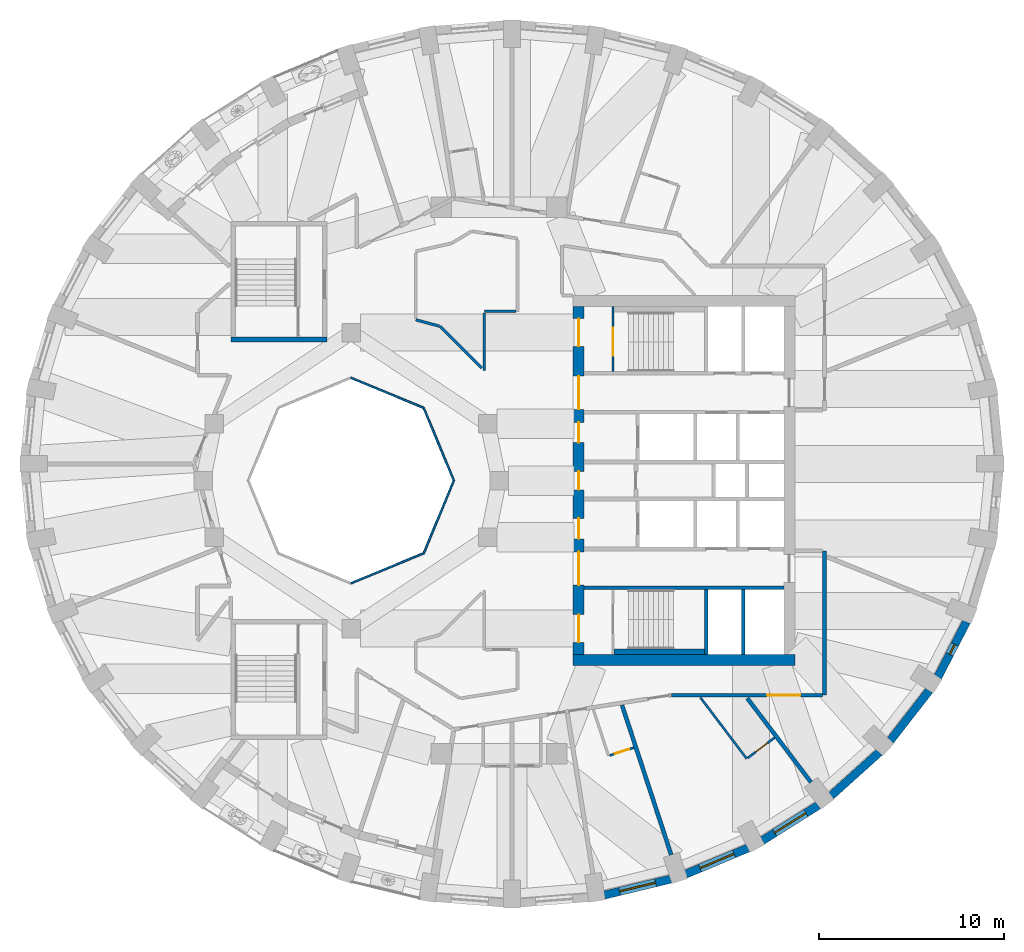
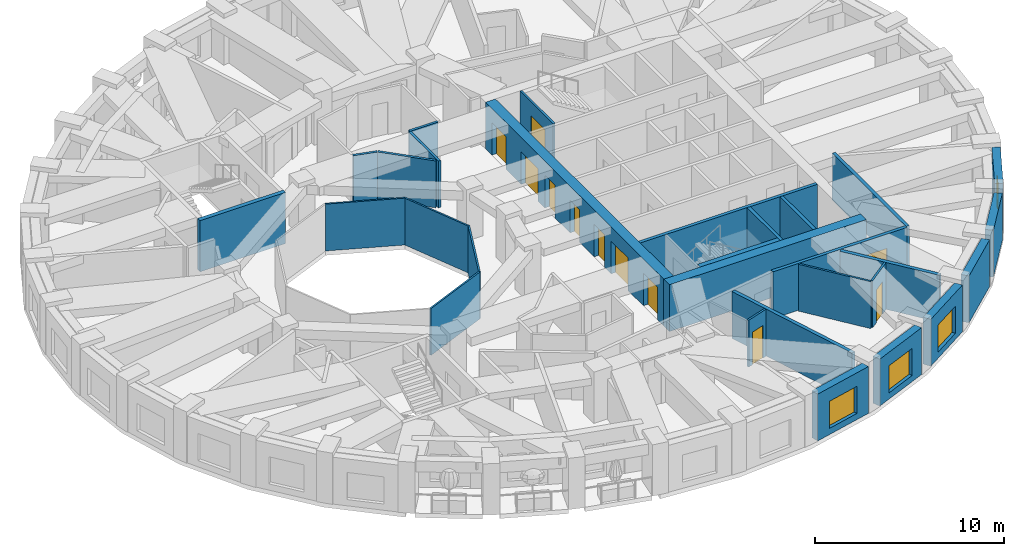
# One storey, part 5 of 12: 29 walls, 11 doors, 4 windows, 15 openings.
"""IFC4 building model written with IfcOpenShell, lengths in metres."""

import ifcopenshell
import ifcopenshell.guid

model = None  # the IFC model being written
_history = None  # IfcOwnerHistory: only IFC2X3 demands one
_inside = {}  # id of a spatial element -> (the spatial element, [elements in it])
_under = {}  # id of a project, library or spatial element -> (it, [spatial elements below it])
_declared = {}  # id of a project -> (the project, [libraries it declares])
_typed = {}  # id of a type object -> (the type object, [elements of that type])
_made_of = {}  # id of a material, layer set ... -> (it, [elements and type objects made of it])


def new_model(schema):
    """Start an empty IFC model of exactly this schema.

    Asked for "IFC4X3", IfcOpenShell would pick the latest addendum, in which some entities
    have other attributes; the version numbers below select the first issue.
    IFC2X3 requires an IfcOwnerHistory on every rooted entity: one is made here for all.
    """
    global model, _history
    if schema == "IFC4X3":
        model = ifcopenshell.file(schema_version=(4, 3, 0, 0))
    else:
        model = ifcopenshell.file(schema=schema)
    _inside.clear()
    _under.clear()
    _declared.clear()
    _typed.clear()
    _made_of.clear()
    _history = None
    if model.schema == "IFC2X3":
        org = make("IfcOrganization", Name="unknown")
        user = make(
            "IfcPersonAndOrganization",
            ThePerson=make("IfcPerson", FamilyName="unknown"),
            TheOrganization=org,
        )
        app = make(
            "IfcApplication",
            ApplicationDeveloper=org,
            Version="unknown",
            ApplicationFullName="unknown",
            ApplicationIdentifier="unknown",
        )
        _history = make(
            "IfcOwnerHistory",
            OwningUser=user,
            OwningApplication=app,
            ChangeAction="ADDED",
            CreationDate=0,
        )
    return model


def make(cls, **values):
    """One entity of the class cls with the attributes given. An attribute that is None is left unset."""
    return model.create_entity(
        cls, **{name: value for name, value in values.items() if value is not None}
    )


def rooted(cls, **values):
    """An entity with a GlobalId (a new one), such as an element, a storey or a relation."""
    return make(cls, GlobalId=ifcopenshell.guid.new(), OwnerHistory=_history, **values)


def si_unit(unit_type, name, prefix=None):
    """IfcSIUnit, for example si_unit("LENGTHUNIT", "METRE", prefix="MILLI")."""
    return make("IfcSIUnit", UnitType=unit_type, Prefix=prefix, Name=name)


def assignment(units):
    """IfcUnitAssignment: the units of a project."""
    return None if units is None else make("IfcUnitAssignment", Units=units)


def point(xyz):
    """IfcCartesianPoint."""
    return None if xyz is None else make("IfcCartesianPoint", Coordinates=xyz)


def direction(xyz):
    """IfcDirection."""
    return None if xyz is None else make("IfcDirection", DirectionRatios=xyz)


def frame(location, z_axis=None, x_axis=None):
    """IfcAxis2Placement3D, a coordinate frame: its origin and axes. An axis left out is left unset."""
    return make(
        "IfcAxis2Placement3D",
        Location=point(location),
        Axis=direction(z_axis),
        RefDirection=direction(x_axis),
    )


def frame_2d(location, x_axis=None):
    """IfcAxis2Placement2D, a coordinate frame in the plane: its origin and x axis."""
    return make(
        "IfcAxis2Placement2D", Location=point(location), RefDirection=direction(x_axis)
    )


def origin():
    """The frame at (0, 0, 0) with its axes left unset."""
    return frame((0.0, 0.0, 0.0))


def place(relative_to, where):
    """IfcLocalPlacement: puts the frame where relative to a parent placement (None: the world)."""
    return make(
        "IfcLocalPlacement", PlacementRelTo=relative_to, RelativePlacement=where
    )


def context(
    kind, dimensions, precision=None, world=None, true_north=None, identifier=None
):
    """IfcGeometricRepresentationContext, for example the 3D "Model" context."""
    return make(
        "IfcGeometricRepresentationContext",
        ContextIdentifier=identifier,
        ContextType=kind,
        CoordinateSpaceDimension=dimensions,
        Precision=precision,
        WorldCoordinateSystem=world,
        TrueNorth=true_north,
    )


def subcontext(parent, identifier, kind, view, scale=None):
    """IfcGeometricRepresentationSubContext, for example "Body" below "Model"."""
    return make(
        "IfcGeometricRepresentationSubContext",
        ContextIdentifier=identifier,
        ContextType=kind,
        ParentContext=parent,
        TargetScale=scale,
        TargetView=view,
    )


def project(units=None, contexts=None):
    """IfcProject with its units and contexts."""
    return rooted(
        "IfcProject",
        Name="project",
        RepresentationContexts=contexts,
        UnitsInContext=assignment(units),
    )


def spatial(cls, under=None, at=None, **own):
    """A site, building, storey or space (cls), placed at a placement, below another one or the project."""
    s = rooted(cls, ObjectPlacement=at, **own)
    if under is not None:
        _under.setdefault(under.id(), (under, []))[1].append(s)
    return s


def profile(cls, at=None, kind="AREA", **sizes):
    """A parametric profile (cls). Its sizes go by their IFC names, for example OverallWidth=200.0."""
    return make(cls, ProfileType=kind, Position=at, **sizes)


def rectangle(**sizes):
    """IfcRectangleProfileDef."""
    return profile("IfcRectangleProfileDef", **sizes)


def extrude(swept, where, along, depth):
    """IfcExtrudedAreaSolid: the profile swept, set in the frame where, extruded along a direction by depth."""
    return make(
        "IfcExtrudedAreaSolid",
        SweptArea=swept,
        Position=where,
        ExtrudedDirection=direction(along),
        Depth=depth,
    )


def shape(context_of_items, identifier, shape_type, items):
    """IfcShapeRepresentation: the items that make up one representation, for example the "Body"."""
    return make(
        "IfcShapeRepresentation",
        ContextOfItems=context_of_items,
        RepresentationIdentifier=identifier,
        RepresentationType=shape_type,
        Items=items,
    )


def material(Name=None, Category=None):
    """IfcMaterial."""
    return make("IfcMaterial", Name=Name, Category=Category)


def layer(
    of_material, thickness, ventilated=None, Name=None, Category=None, Priority=None
):
    """IfcMaterialLayer: one layer of a wall or slab, of a material (None: an air gap)."""
    return make(
        "IfcMaterialLayer",
        Material=of_material,
        LayerThickness=thickness,
        IsVentilated=ventilated,
        Name=Name,
        Category=Category,
        Priority=Priority,
    )


def layer_set(layers, Name=None):
    """IfcMaterialLayerSet."""
    return make("IfcMaterialLayerSet", MaterialLayers=layers, LayerSetName=Name)


def made_of(thing, what):
    """Note that an element or type object is made of a material, layer set ...; save() writes the relation."""
    if what is not None:
        _made_of.setdefault(what.id(), (what, []))[1].append(thing)
    return thing


def type_object(cls, material=None, **own):
    """A type object (cls), such as IfcWallType, which elements share."""
    return made_of(rooted(cls, **own), material)


def element(
    cls,
    number,
    at=None,
    inside=None,
    cuts=None,
    type_object=None,
    material=None,
    context=None,
    identifier="Body",
    shape_type=None,
    held_by="IfcProductDefinitionShape",
    body=None,
    shapes=None,
    **own,
):
    """One element of the class cls, such as IfcWall. Its Tag is "e" and its number.

    at: its placement. inside: the storey or other place that contains it. cuts: it is an
    opening in that element (IfcRelVoidsElement). A single representation is given by context,
    identifier, shape_type and body (its items); several are given by shapes. held_by: the class
    of the entity that holds the representations. save() writes the other relations.
    """
    e = rooted(cls, Tag="e%d" % number, ObjectPlacement=at, **own)
    if body is not None:
        shapes = [shape(context, identifier, shape_type, body)]
    if shapes is not None:
        e.Representation = make(held_by, Representations=shapes)
    if inside is not None:
        _inside.setdefault(inside.id(), (inside, []))[1].append(e)
    if cuts is not None:
        rooted(
            "IfcRelVoidsElement", RelatingBuildingElement=cuts, RelatedOpeningElement=e
        )
    if type_object is not None:
        _typed.setdefault(type_object.id(), (type_object, []))[1].append(e)
    return made_of(e, material)


def fill(opening, filler):
    """IfcRelFillsElement: the door or window that sits in an opening."""
    return rooted(
        "IfcRelFillsElement",
        RelatingOpeningElement=opening,
        RelatedBuildingElement=filler,
    )


def aggregate(whole, parts):
    """IfcRelAggregates: a whole, such as a stair, and the parts it consists of."""
    return rooted("IfcRelAggregates", RelatingObject=whole, RelatedObjects=parts)


def save(model, path):
    """Write the relations noted so far, then the file.

    IfcRelAggregates (storeys below a building ...), IfcRelContainedInSpatialStructure (elements
    in a storey), IfcRelDefinesByType, IfcRelAssociatesMaterial and IfcRelDeclares: one each for
    every whole, place, type object, material and project.
    """
    for whole, parts in _under.values():
        aggregate(whole, parts)
    for where, things in _inside.values():
        rooted(
            "IfcRelContainedInSpatialStructure",
            RelatedElements=things,
            RelatingStructure=where,
        )
    for kind, things in _typed.values():
        rooted("IfcRelDefinesByType", RelatedObjects=things, RelatingType=kind)
    for what, things in _made_of.values():
        rooted("IfcRelAssociatesMaterial", RelatedObjects=things, RelatingMaterial=what)
    for by, libraries in _declared.values():
        rooted("IfcRelDeclares", RelatingContext=by, RelatedDefinitions=libraries)
    model.write(path)


model = new_model("IFC4")

# Units and contexts
model_context = context("Model", 3, precision=1e-05, world=origin(), true_north=direction((0.0, 1.0)))
body_context = subcontext(model_context, "Body", "Model", "MODEL_VIEW")
ifc_project = project(units=[si_unit("LENGTHUNIT", "METRE"), si_unit("AREAUNIT", "SQUARE_METRE"), si_unit("VOLUMEUNIT", "CUBIC_METRE"), si_unit("PLANEANGLEUNIT", "RADIAN"), si_unit("MASSUNIT", "GRAM", prefix="KILO")], contexts=[model_context])

# Site, building, storey
site_placement = place(None, origin())
site = spatial("IfcSite", under=ifc_project, at=site_placement, CompositionType="ELEMENT")
building_placement = place(site_placement, origin())
building = spatial("IfcBuilding", under=site, at=building_placement, Name="Taillehof Tower", CompositionType="ELEMENT")
storey_placement = place(building_placement, frame((0.0, 0.0, 209.0)))
storey = spatial("IfcBuildingStorey", under=building, at=storey_placement, Name="L59", CompositionType="ELEMENT", Elevation=209.0)

# Walls
ifc_material_1 = material(Name="Fire-resisting glass in steel frame", Category="steel")
ifc_layer_1 = layer(ifc_material_1, 0.10009765625)
ifc_layer_set_1 = layer_set([ifc_layer_1], Name="Atrium fire-resisting screen EI 60 100")
wall_type_1 = type_object("IfcWallType", Name="Atrium fire-resisting screen EI 60 100", PredefinedType="PARTITIONING", material=ifc_layer_set_1)
for number, where, z_axis, x_axis, name in (
    (1, (-2.44580078125, 0.0, 0.0), (0.0, 0.0, 1.0), (-0.382730523909, -0.923860025149, 0.0), "Atrium screen"),
    (2, (-4.07275390625, -3.92724609375, 0.0), (0.0, 0.0, 1.0), (-0.923860025149, -0.382730523909, 0.0), "Atrium screen"),
    (3, (-8.0, 5.55419921875, 0.0), (0.0, 0.0, 1.0), (0.923860025149, -0.382730523909, 0.0), "Atrium screen"),
    (4, (-4.07275390625, 3.92724609375, 0.0), (0.0, 0.0, 1.0), (0.382730523909, -0.923860025149, 0.0), "Atrium screen"),
):
    element("IfcWall", number, at=place(storey_placement, frame(where, z_axis=z_axis, x_axis=x_axis)), inside=storey, type_object=wall_type_1, Name=name, PredefinedType="PARTITIONING", context=body_context, shape_type="SweptSolid", body=[
        extrude(rectangle(XDim=4.2509765625, YDim=0.10009765625, at=frame_2d((2.12548828125, 0.0))), origin(), (0.0, 0.0, 1.0), 3.02001953125),
    ])

# Wall, opening, window
ifc_material_2 = material(Name="Brick masonry", Category="masonry")
ifc_layer_2 = layer(ifc_material_2, 0.449951171875)
ifc_layer_set_2 = layer_set([ifc_layer_2], Name="Brick infill wall 450")
wall_type_2 = type_object("IfcWallType", Name="Brick infill wall 450", PredefinedType="SOLIDWALL", material=ifc_layer_set_2)
wall_1_placement = place(storey_placement, frame((5.690673828125, -22.41357421875, 0.0), z_axis=(0.0, 0.0, 1.0), x_axis=(0.9721584944, 0.234324266275, 0.0)))
wall_1 = element("IfcWall", 5, at=wall_1_placement, inside=storey, type_object=wall_type_2, Name="Brick wall L59 bay 29", PredefinedType="SOLIDWALL", context=body_context, shape_type="SweptSolid", body=[
    extrude(rectangle(XDim=3.69775390625, YDim=0.449951171875, at=frame_2d((1.848876953125, 0.0))), origin(), (0.0, 0.0, 1.0), 3.02001953125),
])
opening_1_placement = place(wall_1_placement, frame((0.848876953125, 0.0, 0.39990234375)))
opening_1 = element("IfcOpeningElement", 6, at=opening_1_placement, cuts=wall_1, Name="Opening W2", PredefinedType="OPENING", context=body_context, shape_type="SweptSolid", body=[
    extrude(rectangle(XDim=2.0, YDim=1.75, at=frame_2d((1.0, 0.875))), frame((0.0, 0.23486328125, 0.0), z_axis=(0.0, -1.0, 0.0), x_axis=(1.0, 0.0, 0.0)), (0.0, 0.0, 1.0), 0.469970703125),
])
ifc_material_3 = material(Name="Aluminium window frame with clear double glazing", Category="aluminium")
window_type_1 = type_object("IfcWindowType", Name="Deep-set window 2000x1750", PartitioningType="SINGLE_PANEL", PredefinedType="WINDOW", material=ifc_material_3)
window_1_placement = place(opening_1_placement, origin())
window_1 = element("IfcWindow", 7, at=window_1_placement, inside=storey, type_object=window_type_1, Name="W2", OverallHeight=1.75, OverallWidth=2.0, PartitioningType="SINGLE_PANEL", PredefinedType="WINDOW", context=body_context, shape_type="SweptSolid", body=[
    extrude(rectangle(XDim=2.0, YDim=1.75, at=frame_2d((1.0, 0.875))), frame((0.0, 0.034912109375, 0.0), z_axis=(0.0, -1.0, 0.0), x_axis=(1.0, 0.0, 0.0)), (0.0, 0.0, 1.0), 0.06005859375),
])
fill(opening_1, window_1)

wall_2_placement = place(storey_placement, frame((10.1025390625, -21.279052734375, 0.0), z_axis=(0.0, 0.0, 1.0), x_axis=(0.922168222612, 0.386789050006, 0.0)))
wall_2 = element("IfcWall", 8, at=wall_2_placement, inside=storey, type_object=wall_type_2, Name="Brick wall L59 bay 30", PredefinedType="SOLIDWALL", context=body_context, shape_type="SweptSolid", body=[
    extrude(rectangle(XDim=3.65087890625, YDim=0.449951171875, at=frame_2d((1.825439453125, 0.0))), origin(), (0.0, 0.0, 1.0), 3.02001953125),
])
opening_2_placement = place(wall_2_placement, frame((0.825439453125, 0.0, 0.39990234375)))
opening_2 = element("IfcOpeningElement", 9, at=opening_2_placement, cuts=wall_2, Name="Opening W2", PredefinedType="OPENING", context=body_context, shape_type="SweptSolid", body=[
    extrude(rectangle(XDim=2.0, YDim=1.75, at=frame_2d((1.0, 0.875))), frame((0.0, 0.23486328125, 0.0), z_axis=(0.0, -1.0, 0.0), x_axis=(1.0, 0.0, 0.0)), (0.0, 0.0, 1.0), 0.469970703125),
])
window_2_placement = place(opening_2_placement, origin())
window_2 = element("IfcWindow", 10, at=window_2_placement, inside=storey, type_object=window_type_1, Name="W2", OverallHeight=1.75, OverallWidth=2.0, PartitioningType="SINGLE_PANEL", PredefinedType="WINDOW", context=body_context, shape_type="SweptSolid", body=[
    extrude(rectangle(XDim=2.0, YDim=1.75, at=frame_2d((1.0, 0.875))), frame((0.0, 0.034912109375, 0.0), z_axis=(0.0, -1.0, 0.0), x_axis=(1.0, 0.0, 0.0)), (0.0, 0.0, 1.0), 0.06005859375),
])
fill(opening_2, window_2)

wall_3_placement = place(storey_placement, frame((14.232421875, -19.469970703125, 0.0), z_axis=(0.0, 0.0, 1.0), x_axis=(0.84614984472, 0.532945063098, 0.0)))
wall_3 = element("IfcWall", 11, at=wall_3_placement, inside=storey, type_object=wall_type_2, Name="Brick wall L59 bay 31", PredefinedType="SOLIDWALL", context=body_context, shape_type="SweptSolid", body=[
    extrude(rectangle(XDim=3.58642578125, YDim=0.449951171875, at=frame_2d((1.793212890625, 0.0))), origin(), (0.0, 0.0, 1.0), 3.02001953125),
])
opening_3_placement = place(wall_3_placement, frame((0.79345703125, 0.0, 0.39990234375)))
opening_3 = element("IfcOpeningElement", 12, at=opening_3_placement, cuts=wall_3, Name="Opening W2", PredefinedType="OPENING", context=body_context, shape_type="SweptSolid", body=[
    extrude(rectangle(XDim=2.0, YDim=1.75, at=frame_2d((1.0, 0.875))), frame((0.0, 0.23486328125, 0.0), z_axis=(0.0, -1.0, 0.0), x_axis=(1.0, 0.0, 0.0)), (0.0, 0.0, 1.0), 0.469970703125),
])
window_3_placement = place(opening_3_placement, origin())
window_3 = element("IfcWindow", 13, at=window_3_placement, inside=storey, type_object=window_type_1, Name="W2", OverallHeight=1.75, OverallWidth=2.0, PartitioningType="SINGLE_PANEL", PredefinedType="WINDOW", context=body_context, shape_type="SweptSolid", body=[
    extrude(rectangle(XDim=2.0, YDim=1.75, at=frame_2d((1.0, 0.875))), frame((0.0, 0.034912109375, 0.0), z_axis=(0.0, -1.0, 0.0), x_axis=(1.0, 0.0, 0.0)), (0.0, 0.0, 1.0), 0.06005859375),
])
fill(opening_3, window_3)

# Walls
wall_4_placement = place(storey_placement, frame((17.953369140625, -17.039794921875, 0.0), z_axis=(0.0, 0.0, 1.0), x_axis=(0.743442727602, 0.668799604348, 0.0)))
element("IfcWall", 14, at=wall_4_placement, inside=storey, type_object=wall_type_2, Name="Brick wall L59 bay 32", PredefinedType="SOLIDWALL", context=body_context, shape_type="SweptSolid", body=[
    extrude(rectangle(XDim=3.5126953125, YDim=0.449951171875, at=frame_2d((1.75634765625, 0.0))), origin(), (0.0, 0.0, 1.0), 3.02001953125),
])
wall_5_placement = place(storey_placement, frame((21.1513671875, -14.06103515625, 0.0), z_axis=(0.0, 0.0, 1.0), x_axis=(0.614255239631, 0.789107407509, 0.0)))
element("IfcWall", 15, at=wall_5_placement, inside=storey, type_object=wall_type_2, Name="Brick wall L59 bay 33", PredefinedType="SOLIDWALL", context=body_context, shape_type="SweptSolid", body=[
    extrude(rectangle(XDim=3.4375, YDim=0.449951171875, at=frame_2d((1.71875, 0.0))), origin(), (0.0, 0.0, 1.0), 3.02001953125),
])

# Wall, opening, window
wall_6_placement = place(storey_placement, frame((23.72705078125, -10.6240234375, 0.0), z_axis=(0.0, 0.0, 1.0), x_axis=(0.460175500475, 0.887827972505, 0.0)))
wall_6 = element("IfcWall", 16, at=wall_6_placement, inside=storey, type_object=wall_type_2, Name="Brick wall L59 bay 34", PredefinedType="SOLIDWALL", context=body_context, shape_type="SweptSolid", body=[
    extrude(rectangle(XDim=3.37060546875, YDim=0.449951171875, at=frame_2d((1.685302734375, 0.0))), origin(), (0.0, 0.0, 1.0), 3.02001953125),
])
opening_4_placement = place(wall_6_placement, frame((1.38525390625, 0.0, 0.39990234375)))
opening_4 = element("IfcOpeningElement", 17, at=opening_4_placement, cuts=wall_6, Name="Opening W6", PredefinedType="OPENING", context=body_context, shape_type="SweptSolid", body=[
    extrude(rectangle(XDim=0.60009765625, YDim=1.75, at=frame_2d((0.300048828125, 0.875))), frame((0.0, 0.23486328125, 0.0), z_axis=(0.0, -1.0, 0.0), x_axis=(1.0, 0.0, 0.0)), (0.0, 0.0, 1.0), 0.469970703125),
])
ifc_material_4 = material(Name="Aluminium window frame with clear double glazing", Category="aluminium")
window_type_2 = type_object("IfcWindowType", Name="Slot window 600x1750", PartitioningType="SINGLE_PANEL", PredefinedType="WINDOW", material=ifc_material_4)
window_4_placement = place(opening_4_placement, origin())
window_4 = element("IfcWindow", 18, at=window_4_placement, inside=storey, type_object=window_type_2, Name="W6", OverallHeight=1.75, OverallWidth=0.60009765625, PartitioningType="SINGLE_PANEL", PredefinedType="WINDOW", context=body_context, shape_type="SweptSolid", body=[
    extrude(rectangle(XDim=0.60009765625, YDim=1.75, at=frame_2d((0.300048828125, 0.875))), frame((0.0, 0.034912109375, 0.0), z_axis=(0.0, -1.0, 0.0), x_axis=(1.0, 0.0, 0.0)), (0.0, 0.0, 1.0), 0.06005859375),
])
fill(opening_4, window_4)

# Wall
ifc_material_5 = material(Name="Gypsum board on steel studs, two layers each side", Category="steel")
ifc_layer_3 = layer(ifc_material_5, 0.199951171875)
ifc_layer_set_3 = layer_set([ifc_layer_3], Name="Compartment wall corridor 200")
wall_type_3 = type_object("IfcWallType", Name="Compartment wall corridor 200", PredefinedType="PARTITIONING", material=ifc_layer_set_3)
wall_7_placement = place(storey_placement, frame((17.60009765625, -3.800048828125, 0.0), z_axis=(0.0, 0.0, 1.0), x_axis=(0.0, -1.0, 0.0)))
element("IfcWall", 19, at=wall_7_placement, inside=storey, type_object=wall_type_3, Name="Compartment wall", PredefinedType="PARTITIONING", context=body_context, shape_type="SweptSolid", body=[
    extrude(rectangle(XDim=7.800048828125, YDim=0.199951171875, at=frame_2d((3.89990234375, 0.0))), origin(), (0.0, 0.0, 1.0), 3.02001953125),
])

# Wall, opening, door
wall_8_placement = place(storey_placement, frame((17.5, -11.60009765625, 0.0), z_axis=(0.0, 0.0, 1.0), x_axis=(-1.0, 0.0, 0.0)))
wall_8 = element("IfcWall", 20, at=wall_8_placement, inside=storey, type_object=wall_type_3, Name="Compartment wall", PredefinedType="PARTITIONING", context=body_context, shape_type="SweptSolid", body=[
    extrude(rectangle(XDim=8.173828125, YDim=0.199951171875, at=frame_2d((4.0869140625, 0.0))), origin(), (0.0, 0.0, 1.0), 3.02001953125),
])
opening_5_placement = place(wall_8_placement, frame((1.20849609375, 0.0, 0.0)))
opening_5 = element("IfcOpeningElement", 21, at=opening_5_placement, cuts=wall_8, Name="Opening D5962", PredefinedType="OPENING", context=body_context, shape_type="SweptSolid", body=[
    extrude(rectangle(XDim=1.800048828125, YDim=2.10009765625, at=frame_2d((0.89990234375, 1.050048828125))), frame((0.0, 0.10986328125, 0.0), z_axis=(0.0, -1.0, 0.0), x_axis=(1.0, 0.0, 0.0)), (0.0, 0.0, 1.0), 0.219970703125),
])
ifc_material_6 = material(Name="Timber door leaf in steel frame", Category="steel")
door_type_1 = type_object("IfcDoorType", Name="Lounge and meeting room double door EI 30 1800 x 2100", OperationType="SINGLE_SWING_LEFT", PredefinedType="DOOR", material=ifc_material_6)
door_1_placement = place(opening_5_placement, origin())
door_1 = element("IfcDoor", 22, at=door_1_placement, inside=storey, type_object=door_type_1, Name="D5962", OperationType="DOUBLE_DOOR_SINGLE_SWING", OverallHeight=2.10009765625, OverallWidth=1.800048828125, PredefinedType="DOOR", context=body_context, shape_type="SweptSolid", body=[
    extrude(rectangle(XDim=1.800048828125, YDim=2.10009765625, at=frame_2d((0.89990234375, 1.050048828125))), frame((0.0, 0.02490234375, 0.0), z_axis=(0.0, -1.0, 0.0), x_axis=(1.0, 0.0, 0.0)), (0.0, 0.0, 1.0), 0.050048828125),
])
fill(opening_5, door_1)

# Walls
ifc_material_7 = material(Name="Gypsum board on double steel studs with mineral wool", Category="steel")
ifc_layer_4 = layer(ifc_material_7, 0.219970703125)
ifc_layer_set_4 = layer_set([ifc_layer_4], Name="Compartment wall guest room 220")
wall_type_4 = type_object("IfcWallType", Name="Compartment wall guest room 220", PredefinedType="PARTITIONING", material=ifc_layer_set_4)
wall_9_placement = place(storey_placement, frame((9.30712890625, -20.2353515625, 0.0), z_axis=(0.0, 0.0, 1.0), x_axis=(-0.311959631661, 0.950095357432, 0.0)))
element("IfcWall", 23, at=wall_9_placement, inside=storey, type_object=wall_type_4, Name="Compartment wall", PredefinedType="PARTITIONING", context=body_context, shape_type="SweptSolid", body=[
    extrude(rectangle(XDim=8.517822265625, YDim=0.219970703125, at=frame_2d((4.2587890625, 0.0))), origin(), (0.0, 0.0, 1.0), 3.02001953125),
])
wall_10_placement = place(storey_placement, frame((16.86328125, -16.3125, 0.0), z_axis=(0.0, 0.0, 1.0), x_axis=(-0.603636051313, 0.797260006243, 0.0)))
element("IfcWall", 24, at=wall_10_placement, inside=storey, type_object=wall_type_4, Name="Compartment wall", PredefinedType="PARTITIONING", context=body_context, shape_type="SweptSolid", body=[
    extrude(rectangle(XDim=5.70556640625, YDim=0.219970703125, at=frame_2d((2.852783203125, 0.0))), origin(), (0.0, 0.0, 1.0), 3.02001953125),
])
ifc_material_8 = material(Name="Calcium silicate masonry", Category="masonry")
ifc_layer_5 = layer(ifc_material_8, 0.300048828125)
ifc_layer_set_5 = layer_set([ifc_layer_5], Name="Compartment wall lining calcium silicate 300")
wall_type_5 = type_object("IfcWallType", Name="Compartment wall lining calcium silicate 300", PredefinedType="PARTITIONING", material=ifc_layer_set_5)
wall_11_placement = place(storey_placement, frame((6.219970703125, -9.25, 0.0), z_axis=(0.0, 0.0, 1.0), x_axis=(1.0, 0.0, 0.0)))
element("IfcWall", 25, at=wall_11_placement, inside=storey, type_object=wall_type_5, Name="Compartment wall FW", PredefinedType="PARTITIONING", context=body_context, shape_type="SweptSolid", body=[
    extrude(rectangle(XDim=4.880126953125, YDim=0.300048828125, at=frame_2d((2.43994140625, 0.0))), origin(), (0.0, 0.0, 1.0), 3.02001953125),
])
ifc_material_9 = material(Name="Gypsum board on steel studs, two layers each side", Category="steel")
ifc_layer_6 = layer(ifc_material_9, 0.14990234375)
ifc_layer_set_6 = layer_set([ifc_layer_6], Name="Compartment wall service room 150")
wall_type_6 = type_object("IfcWallType", Name="Compartment wall service room 150", PredefinedType="PARTITIONING", material=ifc_layer_set_6)
wall_12_placement = place(storey_placement, frame((0.919921875, 9.14990234375, 0.0), z_axis=(0.0, 0.0, 1.0), x_axis=(-1.0, 0.0, 0.0)))
element("IfcWall", 26, at=wall_12_placement, inside=storey, type_object=wall_type_6, Name="Compartment wall", PredefinedType="PARTITIONING", context=body_context, shape_type="SweptSolid", body=[
    extrude(rectangle(XDim=1.719970703125, YDim=0.14990234375, at=frame_2d((0.85986328125, 0.0))), origin(), (0.0, 0.0, 1.0), 3.02001953125),
])
wall_13_placement = place(storey_placement, frame((-0.800048828125, 9.06982421875, 0.0), z_axis=(0.0, 0.0, 1.0), x_axis=(0.0, -1.0, 0.0)))
element("IfcWall", 27, at=wall_13_placement, inside=storey, type_object=wall_type_6, Name="Compartment wall", PredefinedType="PARTITIONING", context=body_context, shape_type="SweptSolid", body=[
    extrude(rectangle(XDim=3.11767578125, YDim=0.14990234375, at=frame_2d((1.558837890625, 0.0))), origin(), (0.0, 0.0, 1.0), 3.02001953125),
])
wall_14_placement = place(storey_placement, frame((-0.927490234375, 6.07958984375, 0.0), z_axis=(0.0, 0.0, 1.0), x_axis=(-0.707106781187, 0.707106781187, 0.0)))
element("IfcWall", 28, at=wall_14_placement, inside=storey, type_object=wall_type_6, Name="Compartment wall", PredefinedType="PARTITIONING", context=body_context, shape_type="SweptSolid", body=[
    extrude(rectangle(XDim=3.194091796875, YDim=0.14990234375, at=frame_2d((1.59716796875, 0.0))), origin(), (0.0, 0.0, 1.0), 3.02001953125),
])
wall_15_placement = place(storey_placement, frame((-3.224609375, 8.348388671875, 0.0), z_axis=(0.0, 0.0, 1.0), x_axis=(-0.965915035697, 0.258859312783, 0.0)))
element("IfcWall", 29, at=wall_15_placement, inside=storey, type_object=wall_type_6, Name="Compartment wall", PredefinedType="PARTITIONING", context=body_context, shape_type="SweptSolid", body=[
    extrude(rectangle(XDim=1.3203125, YDim=0.14990234375, at=frame_2d((0.66015625, 0.0))), origin(), (0.0, 0.0, 1.0), 3.02001953125),
])

# Wall, openings, doors
ifc_material_10 = material(Name="Concrete C80/95", Category="concrete")
ifc_layer_7 = layer(ifc_material_10, 0.60009765625)
ifc_layer_set_7 = layer_set([ifc_layer_7], Name="Core wall C80/95 600")
wall_type_7 = type_object("IfcWallType", Name="Core wall C80/95 600", PredefinedType="SHEAR", material=ifc_layer_set_7)
wall_16_placement = place(storey_placement, frame((4.300048828125, -9.39990234375, 0.0), z_axis=(0.0, 0.0, 1.0), x_axis=(0.0, 1.0, 0.0)))
wall_16 = element("IfcWall", 30, at=wall_16_placement, inside=storey, type_object=wall_type_7, Name="Core wall CW01", PredefinedType="SHEAR", context=body_context, shape_type="SweptSolid", body=[
    extrude(rectangle(XDim=18.7998046875, YDim=0.60009765625, at=frame_2d((9.39990234375, 0.0))), origin(), (0.0, 0.0, 1.0), 3.02001953125),
])
opening_6_placement = place(wall_16_placement, frame((0.64990234375, 0.0, 0.0)))
opening_6 = element("IfcOpeningElement", 31, at=opening_6_placement, cuts=wall_16, Name="Opening D5901", PredefinedType="OPENING", context=body_context, shape_type="SweptSolid", body=[
    extrude(rectangle(XDim=1.5, YDim=2.10009765625, at=frame_2d((0.75, 1.050048828125))), frame((0.0, 0.31005859375, 0.0), z_axis=(0.0, -1.0, 0.0), x_axis=(1.0, 0.0, 0.0)), (0.0, 0.0, 1.0), 0.6201171875),
])
opening_7_placement = place(wall_16_placement, frame((3.75, 0.0, 0.0)))
opening_7 = element("IfcOpeningElement", 32, at=opening_7_placement, cuts=wall_16, Name="Opening D5902", PredefinedType="OPENING", context=body_context, shape_type="SweptSolid", body=[
    extrude(rectangle(XDim=1.800048828125, YDim=2.10009765625, at=frame_2d((0.89990234375, 1.050048828125))), frame((0.0, 0.31005859375, 0.0), z_axis=(0.0, -1.0, 0.0), x_axis=(1.0, 0.0, 0.0)), (0.0, 0.0, 1.0), 0.6201171875),
])
opening_8_placement = place(wall_16_placement, frame((6.25, 0.0, 0.0)))
opening_8 = element("IfcOpeningElement", 33, at=opening_8_placement, cuts=wall_16, Name="Opening D5903", PredefinedType="OPENING", context=body_context, shape_type="SweptSolid", body=[
    extrude(rectangle(XDim=1.10009765625, YDim=2.10009765625, at=frame_2d((0.550048828125, 1.050048828125))), frame((0.0, 0.31005859375, 0.0), z_axis=(0.0, -1.0, 0.0), x_axis=(1.0, 0.0, 0.0)), (0.0, 0.0, 1.0), 0.6201171875),
])
opening_9_placement = place(wall_16_placement, frame((8.89990234375, 0.0, 0.0)))
opening_9 = element("IfcOpeningElement", 34, at=opening_9_placement, cuts=wall_16, Name="Opening D5904", PredefinedType="OPENING", context=body_context, shape_type="SweptSolid", body=[
    extrude(rectangle(XDim=1.0, YDim=2.10009765625, at=frame_2d((0.5, 1.050048828125))), frame((0.0, 0.31005859375, 0.0), z_axis=(0.0, -1.0, 0.0), x_axis=(1.0, 0.0, 0.0)), (0.0, 0.0, 1.0), 0.6201171875),
])
opening_10_placement = place(wall_16_placement, frame((11.449951171875, 0.0, 0.0)))
opening_10 = element("IfcOpeningElement", 35, at=opening_10_placement, cuts=wall_16, Name="Opening D5905", PredefinedType="OPENING", context=body_context, shape_type="SweptSolid", body=[
    extrude(rectangle(XDim=1.10009765625, YDim=2.10009765625, at=frame_2d((0.550048828125, 1.050048828125))), frame((0.0, 0.31005859375, 0.0), z_axis=(0.0, -1.0, 0.0), x_axis=(1.0, 0.0, 0.0)), (0.0, 0.0, 1.0), 0.6201171875),
])
opening_11_placement = place(wall_16_placement, frame((13.25, 0.0, 0.0)))
opening_11 = element("IfcOpeningElement", 36, at=opening_11_placement, cuts=wall_16, Name="Opening D5906", PredefinedType="OPENING", context=body_context, shape_type="SweptSolid", body=[
    extrude(rectangle(XDim=1.800048828125, YDim=2.10009765625, at=frame_2d((0.89990234375, 1.050048828125))), frame((0.0, 0.31005859375, 0.0), z_axis=(0.0, -1.0, 0.0), x_axis=(1.0, 0.0, 0.0)), (0.0, 0.0, 1.0), 0.6201171875),
])
opening_12_placement = place(wall_16_placement, frame((16.64990234375, 0.0, 0.0)))
opening_12 = element("IfcOpeningElement", 37, at=opening_12_placement, cuts=wall_16, Name="Opening D5907", PredefinedType="OPENING", context=body_context, shape_type="SweptSolid", body=[
    extrude(rectangle(XDim=1.5, YDim=2.10009765625, at=frame_2d((0.75, 1.050048828125))), frame((0.0, 0.31005859375, 0.0), z_axis=(0.0, -1.0, 0.0), x_axis=(1.0, 0.0, 0.0)), (0.0, 0.0, 1.0), 0.6201171875),
])
ifc_material_11 = material(Name="Steel-faced fire door", Category="steel")
door_type_2 = type_object("IfcDoorType", Name="Firefighting lobby door 1100x2100", OperationType="SINGLE_SWING_RIGHT", PredefinedType="DOOR", material=ifc_material_11)
door_2_placement = place(opening_8_placement, origin())
door_2 = element("IfcDoor", 38, at=door_2_placement, inside=storey, type_object=door_type_2, Name="Firefighting lobby door FFL-S", OperationType="SINGLE_SWING_RIGHT", OverallHeight=2.10009765625, OverallWidth=1.10009765625, PredefinedType="DOOR", context=body_context, shape_type="SweptSolid", body=[
    extrude(rectangle(XDim=1.10009765625, YDim=2.10009765625, at=frame_2d((0.550048828125, 1.050048828125))), frame((0.0, 0.02490234375, 0.0), z_axis=(0.0, -1.0, 0.0), x_axis=(1.0, 0.0, 0.0)), (0.0, 0.0, 1.0), 0.050048828125),
])
fill(opening_8, door_2)
door_3_placement = place(opening_10_placement, origin())
door_3 = element("IfcDoor", 39, at=door_3_placement, inside=storey, type_object=door_type_2, Name="Firefighting lobby door FFL-N", OperationType="SINGLE_SWING_LEFT", OverallHeight=2.10009765625, OverallWidth=1.10009765625, PredefinedType="DOOR", context=body_context, shape_type="SweptSolid", body=[
    extrude(rectangle(XDim=1.10009765625, YDim=2.10009765625, at=frame_2d((0.550048828125, 1.050048828125))), frame((0.0, 0.02490234375, 0.0), z_axis=(0.0, -1.0, 0.0), x_axis=(1.0, 0.0, 0.0)), (0.0, 0.0, 1.0), 0.050048828125),
])
fill(opening_10, door_3)
ifc_material_12 = material(Name="Steel-faced fire door", Category="steel")
door_type_3 = type_object("IfcDoorType", Name="Lift lobby door 1800x2100", OperationType="DOUBLE_DOOR_SINGLE_SWING", PredefinedType="DOOR", material=ifc_material_12)
door_4_placement = place(opening_7_placement, origin())
door_4 = element("IfcDoor", 40, at=door_4_placement, inside=storey, type_object=door_type_3, Name="Lift lobby door LL-S", OperationType="DOUBLE_DOOR_SINGLE_SWING", OverallHeight=2.10009765625, OverallWidth=1.800048828125, PredefinedType="DOOR", context=body_context, shape_type="SweptSolid", body=[
    extrude(rectangle(XDim=1.800048828125, YDim=2.10009765625, at=frame_2d((0.89990234375, 1.050048828125))), frame((0.0, 0.02490234375, 0.0), z_axis=(0.0, -1.0, 0.0), x_axis=(1.0, 0.0, 0.0)), (0.0, 0.0, 1.0), 0.050048828125),
])
fill(opening_7, door_4)
door_5_placement = place(opening_11_placement, origin())
door_5 = element("IfcDoor", 41, at=door_5_placement, inside=storey, type_object=door_type_3, Name="Lift lobby door LL-N", OperationType="DOUBLE_DOOR_SINGLE_SWING", OverallHeight=2.10009765625, OverallWidth=1.800048828125, PredefinedType="DOOR", context=body_context, shape_type="SweptSolid", body=[
    extrude(rectangle(XDim=1.800048828125, YDim=2.10009765625, at=frame_2d((0.89990234375, 1.050048828125))), frame((0.0, 0.02490234375, 0.0), z_axis=(0.0, -1.0, 0.0), x_axis=(1.0, 0.0, 0.0)), (0.0, 0.0, 1.0), 0.050048828125),
])
fill(opening_11, door_5)
ifc_material_13 = material(Name="Steel-faced fire door", Category="steel")
door_type_4 = type_object("IfcDoorType", Name="Service door 1000x2100", OperationType="SINGLE_SWING_RIGHT", PredefinedType="DOOR", material=ifc_material_13)
door_6_placement = place(opening_9_placement, origin())
door_6 = element("IfcDoor", 42, at=door_6_placement, inside=storey, type_object=door_type_4, Name="Service door SV", OperationType="SINGLE_SWING_RIGHT", OverallHeight=2.10009765625, OverallWidth=1.0, PredefinedType="DOOR", context=body_context, shape_type="SweptSolid", body=[
    extrude(rectangle(XDim=1.0, YDim=2.10009765625, at=frame_2d((0.5, 1.050048828125))), frame((0.0, 0.02490234375, 0.0), z_axis=(0.0, -1.0, 0.0), x_axis=(1.0, 0.0, 0.0)), (0.0, 0.0, 1.0), 0.050048828125),
])
fill(opening_9, door_6)
ifc_material_14 = material(Name="Steel-faced fire door", Category="steel")
door_type_5 = type_object("IfcDoorType", Name="Stair door 1500x2100", OperationType="DOUBLE_DOOR_SINGLE_SWING", PredefinedType="DOOR", material=ifc_material_14)
door_7_placement = place(opening_6_placement, origin())
door_7 = element("IfcDoor", 43, at=door_7_placement, inside=storey, type_object=door_type_5, Name="Stair door S2", OperationType="DOUBLE_DOOR_SINGLE_SWING", OverallHeight=2.10009765625, OverallWidth=1.5, PredefinedType="DOOR", context=body_context, shape_type="SweptSolid", body=[
    extrude(rectangle(XDim=1.5, YDim=2.10009765625, at=frame_2d((0.75, 1.050048828125))), frame((0.0, 0.02490234375, 0.0), z_axis=(0.0, -1.0, 0.0), x_axis=(1.0, 0.0, 0.0)), (0.0, 0.0, 1.0), 0.050048828125),
])
fill(opening_6, door_7)
door_8_placement = place(opening_12_placement, origin())
door_8 = element("IfcDoor", 44, at=door_8_placement, inside=storey, type_object=door_type_5, Name="Stair door S1", OperationType="DOUBLE_DOOR_SINGLE_SWING", OverallHeight=2.10009765625, OverallWidth=1.5, PredefinedType="DOOR", context=body_context, shape_type="SweptSolid", body=[
    extrude(rectangle(XDim=1.5, YDim=2.10009765625, at=frame_2d((0.75, 1.050048828125))), frame((0.0, 0.02490234375, 0.0), z_axis=(0.0, -1.0, 0.0), x_axis=(1.0, 0.0, 0.0)), (0.0, 0.0, 1.0), 0.050048828125),
])
fill(opening_12, door_8)

# Walls
wall_17_placement = place(storey_placement, frame((4.0, -9.699951171875, 0.0), z_axis=(0.0, 0.0, 1.0), x_axis=(1.0, 0.0, 0.0)))
element("IfcWall", 45, at=wall_17_placement, inside=storey, type_object=wall_type_7, Name="Core wall CW07", PredefinedType="SHEAR", context=body_context, shape_type="SweptSolid", body=[
    extrude(rectangle(XDim=12.0, YDim=0.60009765625, at=frame_2d((6.0, 0.0))), origin(), (0.0, 0.0, 1.0), 3.02001953125),
])
ifc_material_15 = material(Name="Gypsum board on steel studs, moisture resistant", Category="steel")
ifc_layer_8 = layer(ifc_material_15, 0.1201171875)
ifc_layer_set_8 = layer_set([ifc_layer_8], Name="En-suite wall 120")
wall_type_8 = type_object("IfcWallType", Name="En-suite wall 120", PredefinedType="PARTITIONING", material=ifc_layer_set_8)
wall_18_placement = place(storey_placement, frame((10.88671875, -11.73193359375, 0.0), z_axis=(0.0, 0.0, 1.0), x_axis=(0.603646932038, -0.797251767913, 0.0)))
element("IfcWall", 46, at=wall_18_placement, inside=storey, type_object=wall_type_8, Name="En-suite wall", PredefinedType="PARTITIONING", context=body_context, shape_type="SweptSolid", body=[
    extrude(rectangle(XDim=4.148681640625, YDim=0.1201171875, at=frame_2d((2.07421875, 0.0))), origin(), (0.0, 0.0, 1.0), 3.02001953125),
])

# Wall, opening, door
wall_19_placement = place(storey_placement, frame((5.97607421875, -14.8671875, 0.0), z_axis=(0.0, 0.0, 1.0), x_axis=(0.950123887932, 0.311872726573, 0.0)))
wall_19 = element("IfcWall", 47, at=wall_19_placement, inside=storey, type_object=wall_type_8, Name="En-suite wall", PredefinedType="PARTITIONING", context=body_context, shape_type="SweptSolid", body=[
    extrude(rectangle(XDim=1.380126953125, YDim=0.1201171875, at=frame_2d((0.68994140625, 0.0))), origin(), (0.0, 0.0, 1.0), 3.02001953125),
])
opening_13_placement = place(wall_19_placement, frame((0.31494140625, 0.0, 0.0)))
opening_13 = element("IfcOpeningElement", 48, at=opening_13_placement, cuts=wall_19, Name="Opening D5959", PredefinedType="OPENING", context=body_context, shape_type="SweptSolid", body=[
    extrude(rectangle(XDim=0.800048828125, YDim=2.10009765625, at=frame_2d((0.39990234375, 1.050048828125))), frame((0.0, 0.070068359375, 0.0), z_axis=(0.0, -1.0, 0.0), x_axis=(1.0, 0.0, 0.0)), (0.0, 0.0, 1.0), 0.14013671875),
])
ifc_material_16 = material(Name="Timber door leaf in steel frame", Category="steel")
door_type_6 = type_object("IfcDoorType", Name="En-suite door 800 x 2100", OperationType="SINGLE_SWING_LEFT", PredefinedType="DOOR", material=ifc_material_16)
door_9_placement = place(opening_13_placement, origin())
door_9 = element("IfcDoor", 49, at=door_9_placement, inside=storey, type_object=door_type_6, Name="D5959", OperationType="SINGLE_SWING_LEFT", OverallHeight=2.10009765625, OverallWidth=0.800048828125, PredefinedType="DOOR", context=body_context, shape_type="SweptSolid", body=[
    extrude(rectangle(XDim=0.800048828125, YDim=2.10009765625, at=frame_2d((0.39990234375, 1.050048828125))), frame((0.0, 0.02490234375, 0.0), z_axis=(0.0, -1.0, 0.0), x_axis=(1.0, 0.0, 0.0)), (0.0, 0.0, 1.0), 0.050048828125),
])
fill(opening_13, door_9)

wall_20_placement = place(storey_placement, frame((13.43896484375, -15.00341796875, 0.0), z_axis=(0.0, 0.0, 1.0), x_axis=(0.797238062708, 0.603665032422, 0.0)))
wall_20 = element("IfcWall", 50, at=wall_20_placement, inside=storey, type_object=wall_type_8, Name="En-suite wall", PredefinedType="PARTITIONING", context=body_context, shape_type="SweptSolid", body=[
    extrude(rectangle(XDim=1.830078125, YDim=0.1201171875, at=frame_2d((0.9150390625, 0.0))), origin(), (0.0, 0.0, 1.0), 3.02001953125),
])
opening_14_placement = place(wall_20_placement, frame((0.5400390625, 0.0, 0.0)))
opening_14 = element("IfcOpeningElement", 51, at=opening_14_placement, cuts=wall_20, Name="Opening D5961", PredefinedType="OPENING", context=body_context, shape_type="SweptSolid", body=[
    extrude(rectangle(XDim=0.800048828125, YDim=2.10009765625, at=frame_2d((0.39990234375, 1.050048828125))), frame((0.0, 0.070068359375, 0.0), z_axis=(0.0, -1.0, 0.0), x_axis=(1.0, 0.0, 0.0)), (0.0, 0.0, 1.0), 0.14013671875),
])
door_10_placement = place(opening_14_placement, origin())
door_10 = element("IfcDoor", 52, at=door_10_placement, inside=storey, type_object=door_type_6, Name="D5961", OperationType="SINGLE_SWING_LEFT", OverallHeight=2.10009765625, OverallWidth=0.800048828125, PredefinedType="DOOR", context=body_context, shape_type="SweptSolid", body=[
    extrude(rectangle(XDim=0.800048828125, YDim=2.10009765625, at=frame_2d((0.39990234375, 1.050048828125))), frame((0.0, 0.02490234375, 0.0), z_axis=(0.0, -1.0, 0.0), x_axis=(1.0, 0.0, 0.0)), (0.0, 0.0, 1.0), 0.050048828125),
])
fill(opening_14, door_10)

# Walls
ifc_material_17 = material(Name="Concrete C50/60", Category="concrete")
ifc_layer_9 = layer(ifc_material_17, 0.199951171875)
ifc_layer_set_9 = layer_set([ifc_layer_9], Name="Shaft wall C50/60 200")
wall_type_9 = type_object("IfcWallType", Name="Shaft wall C50/60 200", PredefinedType="SHEAR", material=ifc_layer_set_9)
wall_21_placement = place(storey_placement, frame((4.60009765625, -5.800048828125, 0.0), z_axis=(0.0, 0.0, 1.0), x_axis=(1.0, 0.0, 0.0)))
element("IfcWall", 53, at=wall_21_placement, inside=storey, type_object=wall_type_9, Name="Shaft wall SW", PredefinedType="SHEAR", context=body_context, shape_type="SweptSolid", body=[
    extrude(rectangle(XDim=10.7998046875, YDim=0.199951171875, at=frame_2d((5.39990234375, 0.0))), origin(), (0.0, 0.0, 1.0), 3.02001953125),
])
for number, where, z_axis, x_axis, name in (
    (54, (11.199951171875, -9.39990234375, 0.0), (0.0, 0.0, 1.0), (0.0, 1.0, 0.0), "Shaft wall SW"),
    (55, (13.199951171875, -9.39990234375, 0.0), (0.0, 0.0, 1.0), (0.0, 1.0, 0.0), "Shaft wall SW"),
):
    element("IfcWall", number, at=place(storey_placement, frame(where, z_axis=z_axis, x_axis=x_axis)), inside=storey, type_object=wall_type_9, Name=name, PredefinedType="SHEAR", context=body_context, shape_type="SweptSolid", body=[
        extrude(rectangle(XDim=3.5, YDim=0.199951171875, at=frame_2d((1.75, 0.0))), origin(), (0.0, 0.0, 1.0), 3.02001953125),
    ])

# Wall, opening, door
ifc_material_18 = material(Name="Concrete C50/60", Category="concrete")
ifc_layer_10 = layer(ifc_material_18, 0.1201171875)
ifc_layer_set_10 = layer_set([ifc_layer_10], Name="Stair lobby wall C50/60 120")
wall_type_10 = type_object("IfcWallType", Name="Stair lobby wall C50/60 120", PredefinedType="SHEAR", material=ifc_layer_set_10)
wall_22_placement = place(storey_placement, frame((6.159912109375, 5.89990234375, 0.0), z_axis=(0.0, 0.0, 1.0), x_axis=(0.0, 1.0, 0.0)))
wall_22 = element("IfcWall", 56, at=wall_22_placement, inside=storey, type_object=wall_type_10, Name="Compartment wall SW", PredefinedType="SHEAR", context=body_context, shape_type="SweptSolid", body=[
    extrude(rectangle(XDim=3.5, YDim=0.1201171875, at=frame_2d((1.75, 0.0))), origin(), (0.0, 0.0, 1.0), 3.02001953125),
])
opening_15_placement = place(wall_22_placement, frame((0.85009765625, 0.0, 0.0)))
opening_15 = element("IfcOpeningElement", 57, at=opening_15_placement, cuts=wall_22, Name="Opening D5910", PredefinedType="OPENING", context=body_context, shape_type="SweptSolid", body=[
    extrude(rectangle(XDim=1.5, YDim=2.10009765625, at=frame_2d((0.75, 1.050048828125))), frame((0.0, 0.070068359375, 0.0), z_axis=(0.0, -1.0, 0.0), x_axis=(1.0, 0.0, 0.0)), (0.0, 0.0, 1.0), 0.14013671875),
])
door_11_placement = place(opening_15_placement, origin())
door_11 = element("IfcDoor", 58, at=door_11_placement, inside=storey, type_object=door_type_5, Name="Stair lobby door S1", OperationType="DOUBLE_DOOR_SINGLE_SWING", OverallHeight=2.10009765625, OverallWidth=1.5, PredefinedType="DOOR", context=body_context, shape_type="SweptSolid", body=[
    extrude(rectangle(XDim=1.5, YDim=2.10009765625, at=frame_2d((0.75, 1.050048828125))), frame((0.0, 0.02490234375, 0.0), z_axis=(0.0, -1.0, 0.0), x_axis=(1.0, 0.0, 0.0)), (0.0, 0.0, 1.0), 0.050048828125),
])
fill(opening_15, door_11)

# Wall
ifc_material_19 = material(Name="Concrete C50/60", Category="concrete")
ifc_layer_11 = layer(ifc_material_19, 0.25)
ifc_layer_set_11 = layer_set([ifc_layer_11], Name="Stair wall C50/60 250")
wall_type_11 = type_object("IfcWallType", Name="Stair wall C50/60 250", PredefinedType="SHEAR", material=ifc_layer_set_11)
wall_23_placement = place(storey_placement, frame((-14.5, 7.625, -0.280029296875), z_axis=(0.0, 0.0, 1.0), x_axis=(1.0, 0.0, 0.0)))
element("IfcWall", 59, at=wall_23_placement, inside=storey, type_object=wall_type_11, Name="Stair wall SC", PredefinedType="SHEAR", context=body_context, shape_type="SweptSolid", body=[
    extrude(rectangle(XDim=5.199951171875, YDim=0.25, at=frame_2d((2.60009765625, 0.0))), origin(), (0.0, 0.0, 1.0), 3.300048828125),
])

save(model, "model.ifc")
